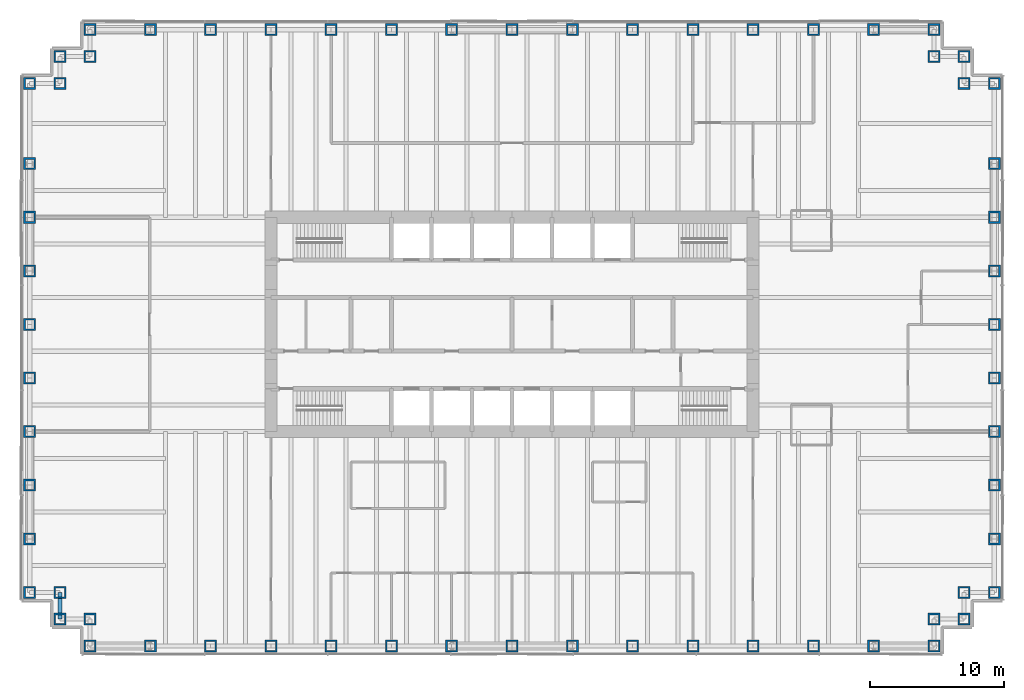
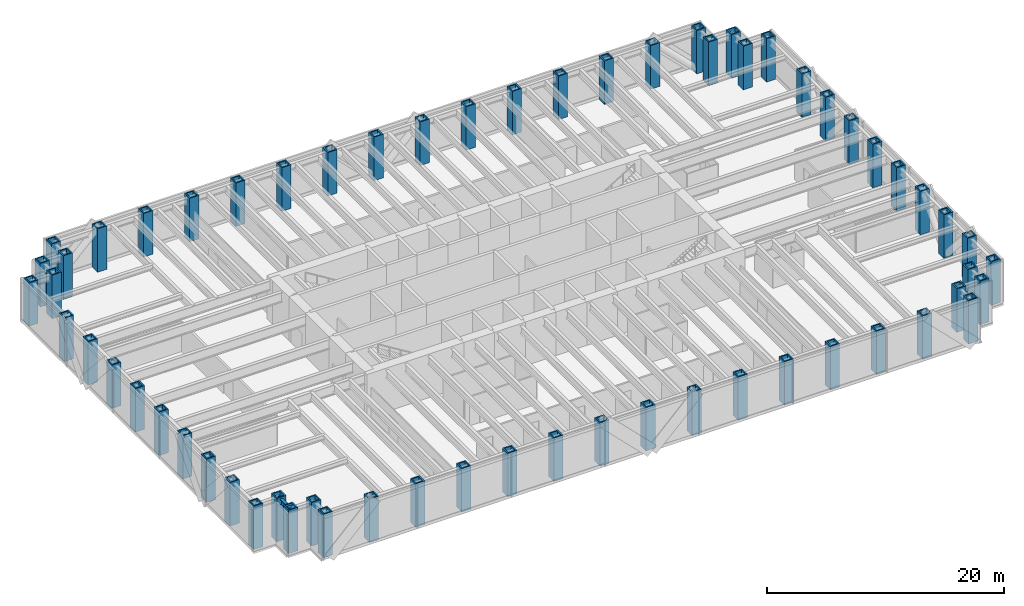
# One storey, part 1 of 13: 62 columns, 1 beam.
"""IFC4 building model written with IfcOpenShell, lengths in metres."""

from ifc_helpers import new_model, si_unit, direction, frame, origin, origin_2d, place, context, subcontext, project, spatial, hollow_rectangle, i_section, extrude, material, material_profile, profile_set, type_object, element, save


model = new_model("IFC4")

# Units and contexts
model_context = context("Model", 3, precision=1e-05, world=origin(), true_north=direction((0.0, 1.0)))
body_context = subcontext(model_context, "Body", "Model", "MODEL_VIEW")
ifc_project = project(units=[si_unit("LENGTHUNIT", "METRE"), si_unit("AREAUNIT", "SQUARE_METRE"), si_unit("VOLUMEUNIT", "CUBIC_METRE"), si_unit("PLANEANGLEUNIT", "RADIAN"), si_unit("MASSUNIT", "GRAM", prefix="KILO")], contexts=[model_context])

# Site, building, storey
site_placement = place(None, origin())
site = spatial("IfcSite", under=ifc_project, at=site_placement, CompositionType="ELEMENT")
building_placement = place(site_placement, origin())
building = spatial("IfcBuilding", under=site, at=building_placement, Name="Rheinbord Bourse Tower", CompositionType="ELEMENT")
storey_placement = place(building_placement, frame((0.0, 0.0, 32.0)))
storey = spatial("IfcBuildingStorey", under=building, at=storey_placement, Name="L06", CompositionType="ELEMENT", Elevation=32.0)

# Columns
ifc_material_1 = material(Name="Steel S460M", Category="steel")
ifc_material_profile_1 = material_profile(ifc_material_1, hollow_rectangle(XDim=0.89990234375, YDim=0.89990234375, WallThickness=0.1201171875, at=origin_2d()), Name="BOX 900x900x120")
ifc_profile_set_1 = profile_set([ifc_material_profile_1], Name="Steel S460M")
column_type = type_object("IfcColumnType", Name="TUBE COLUMN BOX 900x900x120", PredefinedType="COLUMN", material=ifc_profile_set_1)
for number, where, z_axis, x_axis, name in (
    (1, (4.5, 0.0, 0.0), (0.0, 0.0, 1.0), (0.0, 1.0, 0.0), "Column SW-E L06"),
    (2, (9.0, 0.0, 0.0), (0.0, 0.0, 1.0), (0.0, 1.0, 0.0), "Column S-9 L06"),
    (3, (13.5, 0.0, 0.0), (0.0, 0.0, 1.0), (0.0, 1.0, 0.0), "Column S-13.5 L06"),
    (4, (18.0, 0.0, 0.0), (0.0, 0.0, 1.0), (0.0, 1.0, 0.0), "Column S-18 L06"),
    (5, (22.5, 0.0, 0.0), (0.0, 0.0, 1.0), (0.0, 1.0, 0.0), "Column S-22.5 L06"),
    (6, (27.0, 0.0, 0.0), (0.0, 0.0, 1.0), (0.0, 1.0, 0.0), "Column S-27 L06"),
    (7, (31.5, 0.0, 0.0), (0.0, 0.0, 1.0), (0.0, 1.0, 0.0), "Column S-31.5 L06"),
    (8, (36.0, 0.0, 0.0), (0.0, 0.0, 1.0), (0.0, 1.0, 0.0), "Column S-36 L06"),
    (9, (40.5, 0.0, 0.0), (0.0, 0.0, 1.0), (0.0, 1.0, 0.0), "Column S-40.5 L06"),
    (10, (45.0, 0.0, 0.0), (0.0, 0.0, 1.0), (0.0, 1.0, 0.0), "Column S-45 L06"),
    (11, (49.5, 0.0, 0.0), (0.0, 0.0, 1.0), (0.0, 1.0, 0.0), "Column S-49.5 L06"),
    (12, (54.0, 0.0, 0.0), (0.0, 0.0, 1.0), (0.0, 1.0, 0.0), "Column S-54 L06"),
    (13, (58.5, 0.0, 0.0), (0.0, 0.0, 1.0), (0.0, 1.0, 0.0), "Column S-58.5 L06"),
    (14, (63.0, 0.0, 0.0), (0.0, 0.0, 1.0), (0.0, 1.0, 0.0), "Column S-63 L06"),
    (15, (67.5, 0.0, 0.0), (0.0, 0.0, 1.0), (0.0, 1.0, 0.0), "Column SE-E L06"),
    (16, (67.5, 2.0, 0.0), (0.0, 0.0, 1.0), (0.0, 1.0, 0.0), "Column SE-D L06"),
    (17, (69.75, 2.0, 0.0), (0.0, 0.0, 1.0), (1.0, 0.0, 0.0), "Column SE-C L06"),
    (18, (69.75, 4.0, 0.0), (0.0, 0.0, 1.0), (1.0, 0.0, 0.0), "Column SE-B L06"),
    (19, (72.0, 4.0, 0.0), (0.0, 0.0, 1.0), (1.0, 0.0, 0.0), "Column SE-A L06"),
    (20, (72.0, 8.0, 0.0), (0.0, 0.0, 1.0), (1.0, 0.0, 0.0), "Column E-8 L06"),
    (21, (72.0, 12.0, 0.0), (0.0, 0.0, 1.0), (1.0, 0.0, 0.0), "Column E-12 L06"),
    (22, (72.0, 16.0, 0.0), (0.0, 0.0, 1.0), (1.0, 0.0, 0.0), "Column E-16 L06"),
    (23, (72.0, 20.0, 0.0), (0.0, 0.0, 1.0), (1.0, 0.0, 0.0), "Column E-20 L06"),
    (24, (72.0, 24.0, 0.0), (0.0, 0.0, 1.0), (1.0, 0.0, 0.0), "Column E-24 L06"),
    (25, (72.0, 28.0, 0.0), (0.0, 0.0, 1.0), (1.0, 0.0, 0.0), "Column E-28 L06"),
    (26, (72.0, 32.0, 0.0), (0.0, 0.0, 1.0), (1.0, 0.0, 0.0), "Column E-32 L06"),
    (27, (72.0, 36.0, 0.0), (0.0, 0.0, 1.0), (1.0, 0.0, 0.0), "Column E-36 L06"),
    (28, (72.0, 42.0, 0.0), (0.0, 0.0, 1.0), (1.0, 0.0, 0.0), "Column NE-A L06"),
    (29, (69.75, 42.0, 0.0), (0.0, 0.0, 1.0), (1.0, 0.0, 0.0), "Column NE-B L06"),
    (30, (69.75, 44.0, 0.0), (0.0, 0.0, 1.0), (1.0, 0.0, 0.0), "Column NE-C L06"),
    (31, (67.5, 44.0, 0.0), (0.0, 0.0, 1.0), (0.0, 1.0, 0.0), "Column NE-D L06"),
    (32, (67.5, 46.0, 0.0), (0.0, 0.0, 1.0), (0.0, 1.0, 0.0), "Column NE-E L06"),
    (33, (63.0, 46.0, 0.0), (0.0, 0.0, 1.0), (0.0, 1.0, 0.0), "Column N-63 L06"),
    (34, (58.5, 46.0, 0.0), (0.0, 0.0, 1.0), (0.0, 1.0, 0.0), "Column N-58.5 L06"),
    (35, (54.0, 46.0, 0.0), (0.0, 0.0, 1.0), (0.0, 1.0, 0.0), "Column N-54 L06"),
    (36, (49.5, 46.0, 0.0), (0.0, 0.0, 1.0), (0.0, 1.0, 0.0), "Column N-49.5 L06"),
    (37, (45.0, 46.0, 0.0), (0.0, 0.0, 1.0), (0.0, 1.0, 0.0), "Column N-45 L06"),
    (38, (40.5, 46.0, 0.0), (0.0, 0.0, 1.0), (0.0, 1.0, 0.0), "Column N-40.5 L06"),
    (39, (36.0, 46.0, 0.0), (0.0, 0.0, 1.0), (0.0, 1.0, 0.0), "Column N-36 L06"),
    (40, (31.5, 46.0, 0.0), (0.0, 0.0, 1.0), (0.0, 1.0, 0.0), "Column N-31.5 L06"),
    (41, (27.0, 46.0, 0.0), (0.0, 0.0, 1.0), (0.0, 1.0, 0.0), "Column N-27 L06"),
    (42, (22.5, 46.0, 0.0), (0.0, 0.0, 1.0), (0.0, 1.0, 0.0), "Column N-22.5 L06"),
    (43, (18.0, 46.0, 0.0), (0.0, 0.0, 1.0), (0.0, 1.0, 0.0), "Column N-18 L06"),
    (44, (13.5, 46.0, 0.0), (0.0, 0.0, 1.0), (0.0, 1.0, 0.0), "Column N-13.5 L06"),
    (45, (9.0, 46.0, 0.0), (0.0, 0.0, 1.0), (0.0, 1.0, 0.0), "Column N-9 L06"),
    (46, (4.5, 46.0, 0.0), (0.0, 0.0, 1.0), (0.0, 1.0, 0.0), "Column NW-E L06"),
    (47, (4.5, 44.0, 0.0), (0.0, 0.0, 1.0), (0.0, 1.0, 0.0), "Column NW-D L06"),
    (48, (2.25, 44.0, 0.0), (0.0, 0.0, 1.0), (1.0, 0.0, 0.0), "Column NW-C L06"),
    (49, (2.25, 42.0, 0.0), (0.0, 0.0, 1.0), (1.0, 0.0, 0.0), "Column NW-B L06"),
    (50, (0.0, 42.0, 0.0), (0.0, 0.0, 1.0), (1.0, 0.0, 0.0), "Column NW-A L06"),
    (51, (0.0, 36.0, 0.0), (0.0, 0.0, 1.0), (1.0, 0.0, 0.0), "Column W-36 L06"),
    (52, (0.0, 32.0, 0.0), (0.0, 0.0, 1.0), (1.0, 0.0, 0.0), "Column W-32 L06"),
    (53, (0.0, 28.0, 0.0), (0.0, 0.0, 1.0), (1.0, 0.0, 0.0), "Column W-28 L06"),
    (54, (0.0, 24.0, 0.0), (0.0, 0.0, 1.0), (1.0, 0.0, 0.0), "Column W-24 L06"),
    (55, (0.0, 20.0, 0.0), (0.0, 0.0, 1.0), (1.0, 0.0, 0.0), "Column W-20 L06"),
    (56, (0.0, 16.0, 0.0), (0.0, 0.0, 1.0), (1.0, 0.0, 0.0), "Column W-16 L06"),
    (57, (0.0, 12.0, 0.0), (0.0, 0.0, 1.0), (1.0, 0.0, 0.0), "Column W-12 L06"),
    (58, (0.0, 8.0, 0.0), (0.0, 0.0, 1.0), (1.0, 0.0, 0.0), "Column W-8 L06"),
    (59, (0.0, 4.0, 0.0), (0.0, 0.0, 1.0), (1.0, 0.0, 0.0), "Column SW-A L06"),
    (60, (2.25, 4.0, 0.0), (0.0, 0.0, 1.0), (1.0, 0.0, 0.0), "Column SW-B L06"),
    (61, (2.25, 2.0, 0.0), (0.0, 0.0, 1.0), (1.0, 0.0, 0.0), "Column SW-C L06"),
    (62, (4.5, 2.0, 0.0), (0.0, 0.0, 1.0), (0.0, 1.0, 0.0), "Column SW-D L06"),
):
    element("IfcColumn", number, at=place(storey_placement, frame(where, z_axis=z_axis, x_axis=x_axis)), inside=storey, type_object=column_type, Name=name, PredefinedType="COLUMN", context=body_context, shape_type="SweptSolid", body=[
        extrude(hollow_rectangle(XDim=0.89990234375, YDim=0.89990234375, WallThickness=0.1201171875, at=origin_2d()), origin(), (0.0, 0.0, 1.0), 4.5),
    ])

# Beam
ifc_material_2 = material(Name="Steel S460", Category="steel")
ifc_material_profile_2 = material_profile(ifc_material_2, i_section(OverallWidth=0.304931640625, OverallDepth=0.6201171875, WebThickness=0.02099609375, FlangeThickness=0.0400390625, at=origin_2d()), Name="HEM 600")
ifc_profile_set_2 = profile_set([ifc_material_profile_2], Name="Steel S460")
beam_type = type_object("IfcBeamType", Name="SPANDREL HEM 600", PredefinedType="SPANDREL", material=ifc_profile_set_2)
beam_placement = place(storey_placement, frame((2.25, 4.0, 4.010009765625), z_axis=(0.0, -1.0, 0.0), x_axis=(1.0, 0.0, 0.0)))
element("IfcBeam", 63, at=beam_placement, inside=storey, type_object=beam_type, Name="Spandrel SW-B-SW-C under L07", PredefinedType="SPANDREL", context=body_context, shape_type="SweptSolid", body=[
    extrude(i_section(OverallWidth=0.304931640625, OverallDepth=0.6201171875, WebThickness=0.02099609375, FlangeThickness=0.0400390625, at=origin_2d()), origin(), (0.0, 0.0, 1.0), 2.0),
])

save(model, "model.ifc")
